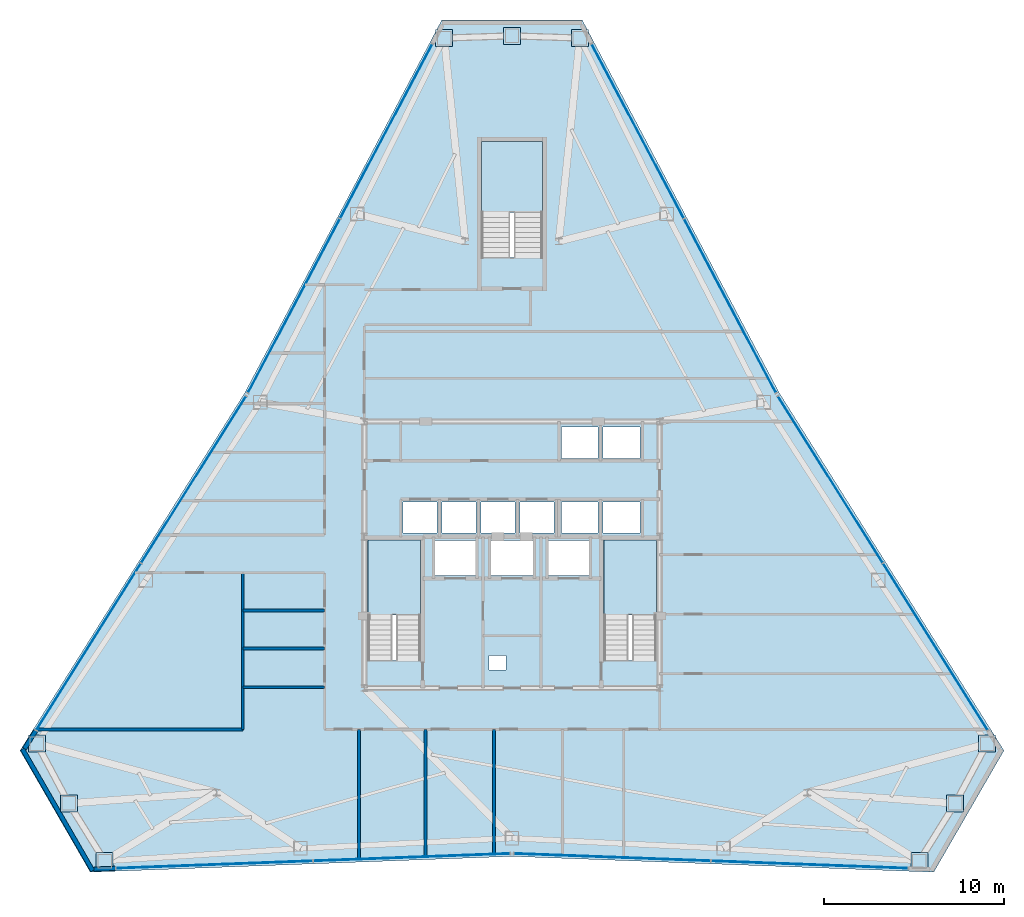
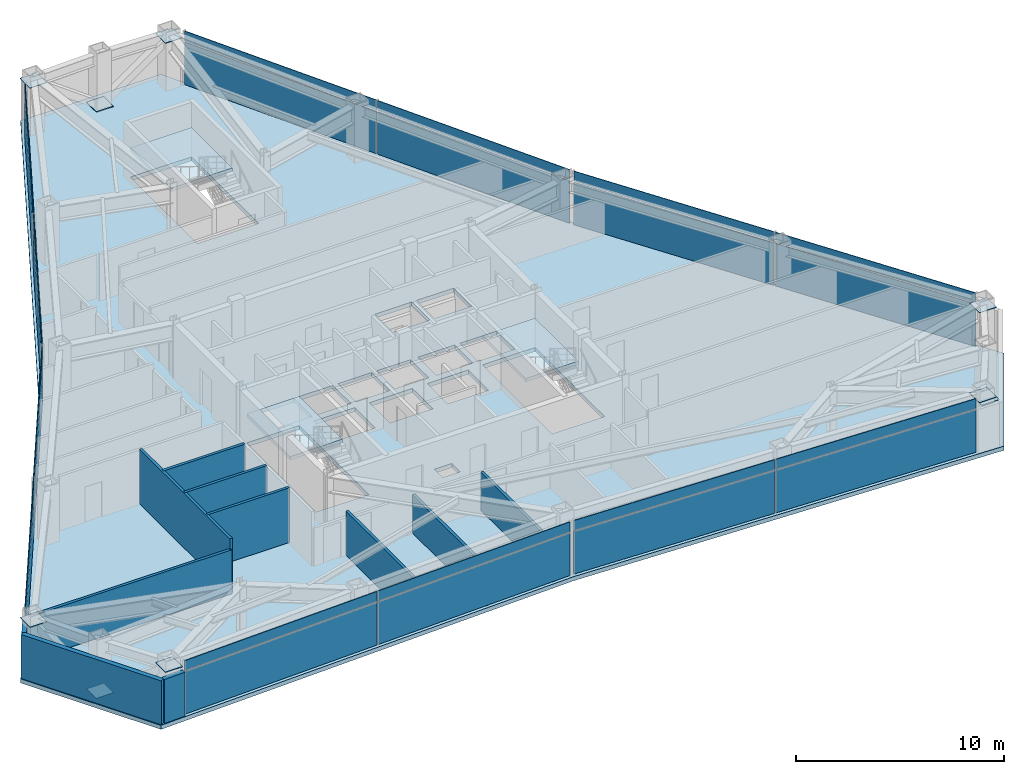
# One storey, part 9 of 13: 33 plates, 11 walls, 4 slabs, 9 elements without a shape of their own.
"""IFC4 building model written with IfcOpenShell, lengths in metres."""

from ifc_helpers import new_model, si_unit, direction, frame, frame_2d, origin, origin_2d, place, context, subcontext, project, spatial, polyline, rectangle, outline, extrude, source, transform, mapped, material, layer, layer_set, type_object, type_shapes, element, aggregate, save


model = new_model("IFC4")

# Units and contexts
model_context = context("Model", 3, precision=1e-05, world=origin(), true_north=direction((0.0, 1.0)))
body_context = subcontext(model_context, "Body", "Model", "MODEL_VIEW")
ifc_project = project(units=[si_unit("LENGTHUNIT", "METRE"), si_unit("AREAUNIT", "SQUARE_METRE"), si_unit("VOLUMEUNIT", "CUBIC_METRE"), si_unit("PLANEANGLEUNIT", "RADIAN"), si_unit("MASSUNIT", "GRAM", prefix="KILO")], contexts=[model_context])

# Site, building, storey
site_placement = place(None, origin())
site = spatial("IfcSite", under=ifc_project, at=site_placement, CompositionType="ELEMENT")
building_placement = place(site_placement, origin())
building = spatial("IfcBuilding", under=site, at=building_placement, Name="Varakhsha Concourse Tower", CompositionType="ELEMENT")
storey_placement = place(building_placement, frame((0.0, 0.0, 172.35009765625)))
storey = spatial("IfcBuildingStorey", under=building, at=storey_placement, Name="L49", CompositionType="ELEMENT", Elevation=172.35009765625)

# Slab
ifc_material_1 = material(Name="Concrete fc 45 MPa", Category="concrete")
ifc_layer_1 = layer(ifc_material_1, 0.239990234375, Name="SL-FLR-240")
ifc_layer_set_1 = layer_set([ifc_layer_1], Name="Concrete fc 45 MPa")
slab_type_1 = type_object("IfcSlabType", Name="SL-FLR-240", PredefinedType="FLOOR", material=ifc_layer_set_1)
slab_1_placement = place(storey_placement, frame((0.0, 0.0, -0.239990234375)))
element("IfcSlab", 1, at=slab_1_placement, inside=storey, type_object=slab_type_1, Name="L49 Composite Structural Slab", PredefinedType="FLOOR", context=body_context, shape_type="SweptSolid", body=[
    extrude(outline(polyline([(43.89990234375, 53.498291015625), (36.10009765625, 53.498291015625), (25.147216796875, 32.775390625), (12.677001953125, 12.92822265625), (16.576904296875, 6.17333984375), (40.0, 7.04931640625), (63.423095703125, 6.17333984375), (67.322998046875, 12.92822265625), (54.852783203125, 32.775390625), (43.89990234375, 53.498291015625)]), holes=[polyline([(34.919921875, 17.93994140625), (34.919921875, 24.6298828125), (32.0, 24.6298828125), (32.0, 17.93994140625), (34.919921875, 17.93994140625)]), polyline([(48.02001953125, 17.93994140625), (48.02001953125, 24.6298828125), (45.10009765625, 24.6298828125), (45.10009765625, 17.93994140625), (48.02001953125, 17.93994140625)]), polyline([(41.699951171875, 40.300048828125), (41.699951171875, 46.75), (38.300048828125, 46.75), (38.300048828125, 40.300048828125), (41.699951171875, 40.300048828125)]), polyline([(33.9599609375, 25.0), (35.840087890625, 25.0), (35.840087890625, 26.739990234375), (33.9599609375, 26.739990234375), (33.9599609375, 25.0)]), polyline([(36.1201171875, 25.0), (38.0, 25.0), (38.0, 26.739990234375), (36.1201171875, 26.739990234375), (36.1201171875, 25.0)]), polyline([(38.280029296875, 25.0), (40.159912109375, 25.0), (40.159912109375, 26.739990234375), (38.280029296875, 26.739990234375), (38.280029296875, 25.0)]), polyline([(40.43994140625, 25.0), (42.320068359375, 25.0), (42.320068359375, 26.739990234375), (40.43994140625, 26.739990234375), (40.43994140625, 25.0)]), polyline([(42.739990234375, 29.159912109375), (44.780029296875, 29.159912109375), (44.780029296875, 30.89990234375), (42.739990234375, 30.89990234375), (42.739990234375, 29.159912109375)]), polyline([(45.06005859375, 29.159912109375), (47.10009765625, 29.159912109375), (47.10009765625, 30.89990234375), (45.06005859375, 30.89990234375), (45.06005859375, 29.159912109375)]), polyline([(42.739990234375, 25.0), (44.780029296875, 25.0), (44.780029296875, 26.739990234375), (42.739990234375, 26.739990234375), (42.739990234375, 25.0)]), polyline([(45.06005859375, 25.0), (47.10009765625, 25.0), (47.10009765625, 26.739990234375), (45.06005859375, 26.739990234375), (45.06005859375, 25.0)]), polyline([(35.7099609375, 22.639892578125), (37.989990234375, 22.639892578125), (37.989990234375, 24.60009765625), (35.7099609375, 24.60009765625), (35.7099609375, 22.639892578125)]), polyline([(42.010009765625, 22.639892578125), (44.2900390625, 22.639892578125), (44.2900390625, 24.60009765625), (42.010009765625, 24.60009765625), (42.010009765625, 22.639892578125)]), polyline([(38.81005859375, 22.639892578125), (41.18994140625, 22.639892578125), (41.18994140625, 24.60009765625), (38.81005859375, 24.60009765625), (38.81005859375, 22.639892578125)]), polyline([(38.719970703125, 17.39990234375), (39.679931640625, 17.39990234375), (39.679931640625, 18.199951171875), (38.719970703125, 18.199951171875), (38.719970703125, 17.39990234375)])]), origin(), (0.0, 0.0, 1.0), 0.239990234375),
])

# Stair, slab
stair_type_1 = type_object("IfcStairType", Name="ST-DOGLEG-1360", PredefinedType="HALF_TURN_STAIR", material=ifc_material_1)
stair_1_placement = place(storey_placement, origin())
stair_1 = element("IfcStair", 2, at=stair_1_placement, inside=storey, type_object=stair_type_1, Name="L49 Protected Exit Stair ST1", PredefinedType="HALF_TURN_STAIR")
ifc_layer_2 = layer(ifc_material_1, 0.199951171875, Name="SL-LAND-200")
ifc_layer_set_2 = layer_set([ifc_layer_2], Name="Concrete fc 45 MPa")
slab_type_2 = type_object("IfcSlabType", Name="SL-LAND-200", PredefinedType="LANDING", material=ifc_layer_set_2)
slab_2_placement = place(storey_placement, frame((0.0, 0.0, 1.52490234375)))
slab_2 = element("IfcSlab", 3, at=slab_2_placement, type_object=slab_type_2, Name="ST1 landing 1", PredefinedType="LANDING", context=body_context, shape_type="SweptSolid", body=[
    extrude(outline(polyline([(34.919921875, 20.4599609375), (34.919921875, 24.6298828125), (32.0, 24.6298828125), (32.0, 20.4599609375), (34.919921875, 20.4599609375)])), origin(), (0.0, 0.0, 1.0), 0.199951171875),
])
aggregate(stair_1, [slab_2])

stair_2_placement = place(storey_placement, origin())
stair_2 = element("IfcStair", 4, at=stair_2_placement, inside=storey, type_object=stair_type_1, Name="L49 Protected Exit Stair ST2", PredefinedType="HALF_TURN_STAIR")
slab_3_placement = place(storey_placement, frame((0.0, 0.0, 1.52490234375)))
slab_3 = element("IfcSlab", 5, at=slab_3_placement, type_object=slab_type_2, Name="ST2 landing 1", PredefinedType="LANDING", context=body_context, shape_type="SweptSolid", body=[
    extrude(outline(polyline([(48.02001953125, 20.4599609375), (48.02001953125, 24.6298828125), (45.10009765625, 24.6298828125), (45.10009765625, 20.4599609375), (48.02001953125, 20.4599609375)])), origin(), (0.0, 0.0, 1.0), 0.199951171875),
])
aggregate(stair_2, [slab_3])

stair_type_2 = type_object("IfcStairType", Name="ST-DOGLEG-1600", PredefinedType="HALF_TURN_STAIR", material=ifc_material_1)
stair_3_placement = place(storey_placement, origin())
stair_3 = element("IfcStair", 6, at=stair_3_placement, inside=storey, type_object=stair_type_2, Name="L49 Protected Exit Stair ST5", PredefinedType="HALF_TURN_STAIR")
slab_4_placement = place(storey_placement, frame((0.0, 0.0, 1.52490234375)))
slab_4 = element("IfcSlab", 7, at=slab_4_placement, type_object=slab_type_2, Name="ST5 landing 1", PredefinedType="LANDING", context=body_context, shape_type="SweptSolid", body=[
    extrude(outline(polyline([(41.699951171875, 42.820068359375), (41.699951171875, 46.75), (38.300048828125, 46.75), (38.300048828125, 42.820068359375), (41.699951171875, 42.820068359375)])), origin(), (0.0, 0.0, 1.0), 0.199951171875),
])
aggregate(stair_3, [slab_4])

# Plates
ifc_material_2 = material(Name="Structural Steel ASTM A572 Grade 50", Category="steel")
ifc_layer_3 = layer(ifc_material_2, 0.030029296875, Name="PL-ENDCAP-950")
ifc_layer_set_3 = layer_set([ifc_layer_3], Name="Structural Steel ASTM A572 Grade 50")
plate_type_1 = type_object("IfcPlateType", Name="PL-ENDCAP-950", PredefinedType="USERDEFINED", material=ifc_layer_set_3)
shared_shape_1 = source(origin(), body_context, "Body", "SweptSolid", [
    extrude(rectangle(XDim=0.949951171875, YDim=0.949951171875, at=origin_2d()), origin(), (0.0, 0.0, 1.0), 0.030029296875),
])
type_shapes(plate_type_1, [shared_shape_1])
for number, where, z_axis, x_axis, name in (
    (8, (40.0, 52.618408203125, 0.10498046875), (0.0, 0.0, 1.0), (1.0, 0.0, 0.0), "Hollow Section End Cap GP-NODE-L49-0505"),
    (9, (43.7666015625, 52.4951171875, 2.89501953125), (0.0, 0.0, 1.0), (1.0, 0.0, 0.0), "Hollow Section End Cap GP-NODE-L49-0506"),
    (10, (36.2333984375, 52.4951171875, 2.89501953125), (0.0, 0.0, 1.0), (1.0, 0.0, 0.0), "Hollow Section End Cap GP-NODE-L49-0507"),
    (11, (15.388916015625, 9.99072265625, 0.10498046875), (0.0, 0.0, 1.0), (1.0, 0.0, 0.0), "Hollow Section End Cap GP-NODE-L49-0508"),
    (12, (13.6123046875, 13.314208984375, 2.89501953125), (0.0, 0.0, 1.0), (1.0, 0.0, 0.0), "Hollow Section End Cap GP-NODE-L49-0509"),
    (13, (17.37890625, 6.79052734375, 2.89501953125), (0.0, 0.0, 1.0), (1.0, 0.0, 0.0), "Hollow Section End Cap GP-NODE-L49-0510"),
    (14, (64.611083984375, 9.99072265625, 0.10498046875), (0.0, 0.0, 1.0), (1.0, 0.0, 0.0), "Hollow Section End Cap GP-NODE-L49-0511"),
    (15, (62.62109375, 6.79052734375, 2.89501953125), (0.0, 0.0, 1.0), (1.0, 0.0, 0.0), "Hollow Section End Cap GP-NODE-L49-0512"),
    (16, (66.3876953125, 13.314208984375, 2.89501953125), (0.0, 0.0, 1.0), (1.0, 0.0, 0.0), "Hollow Section End Cap GP-NODE-L49-0513"),
):
    element("IfcPlate", number, at=place(storey_placement, frame(where, z_axis=z_axis, x_axis=x_axis)), inside=storey, type_object=plate_type_1, Name=name, ObjectType="END PLATE", PredefinedType="USERDEFINED", context=body_context, shape_type="MappedRepresentation", body=[
        mapped(shared_shape_1, transform((0.0, 0.0, 0.0), scale=1.0)),
    ])

# Curtain wall, plates
ifc_material_3 = material(Name="Anodised Bronze Architectural Aluminium AA 6063-T6", Category="aluminium")
ifc_layer_4 = layer(ifc_material_3, 0.2099609375, Name="CW-SYS-04")
ifc_layer_set_4 = layer_set([ifc_layer_4], Name="Anodised Bronze Architectural Aluminium AA 6063-T6")
curtain_wall_type = type_object("IfcCurtainWallType", Name="CW-SYS-04", PredefinedType="NOTDEFINED", material=ifc_layer_set_4)
curtain_wall_1_placement = place(storey_placement, origin())
curtain_wall_1 = element("IfcCurtainWall", 17, at=curtain_wall_1_placement, inside=storey, type_object=curtain_wall_type, Name="L49 Crystal Curtain Wall F2", PredefinedType="NOTDEFINED")
ifc_material_4 = material(Name="Low-E Triple Insulating Glass IGU 44 mm", Category="glass")
ifc_layer_5 = layer(ifc_material_4, 0.0439453125, Name="CWP-IGU-44")
ifc_layer_set_5 = layer_set([ifc_layer_5], Name="Low-E Triple Insulating Glass IGU 44 mm")
plate_type_2 = type_object("IfcPlateType", Name="CWP-IGU-44", PredefinedType="CURTAIN_PANEL", material=ifc_layer_set_5)
shared_shape_2 = source(origin(), body_context, "Body", "SweptSolid", [
    extrude(rectangle(XDim=10.900634765625, YDim=0.0439453125, at=origin_2d()), origin(), (0.0, 0.0, 1.0), 2.49609375),
])
plate_1_placement = place(storey_placement, frame((27.888916015625, 37.62060546875, 0.03173828125), z_axis=(0.0, 0.0, 1.0), x_axis=(0.46728648373, 0.884105956389, 0.0)))
plate_1 = element("IfcPlate", 18, at=plate_1_placement, type_object=plate_type_2, Name="CW-L49-F2 Panel 00-00", PredefinedType="CURTAIN_PANEL", context=body_context, shape_type="MappedRepresentation", body=[
    mapped(shared_shape_2, transform((0.0, 0.0, 0.0), scale=1.0)),
])
plate_2_placement = place(storey_placement, frame((33.014892578125, 47.31884765625, 0.03173828125), z_axis=(0.0, 0.0, 1.0), x_axis=(0.46728648373, 0.884105956389, 0.0)))
plate_2 = element("IfcPlate", 19, at=plate_2_placement, type_object=plate_type_2, Name="CW-L49-F2 Panel 01-00", PredefinedType="CURTAIN_PANEL", context=body_context, shape_type="MappedRepresentation", body=[
    mapped(shared_shape_2, transform((0.0, 0.0, 0.0), scale=1.0)),
])

# Curtain wall, plate
curtain_wall_2_placement = place(storey_placement, origin())
curtain_wall_2 = element("IfcCurtainWall", 20, at=curtain_wall_2_placement, inside=storey, type_object=curtain_wall_type, Name="L49 Crystal Curtain Wall F3", PredefinedType="NOTDEFINED")
plate_3_placement = place(storey_placement, frame((16.48583984375, 18.689697265625, 0.03173828125), z_axis=(0.0, 0.0, 1.0), x_axis=(0.532022365141, 0.846730301212, 0.0)))
plate_3 = element("IfcPlate", 21, at=plate_3_placement, type_object=plate_type_2, Name="CW-L49-F3 Panel 00-00", PredefinedType="CURTAIN_PANEL", context=body_context, shape_type="MappedRepresentation", body=[
    mapped(shared_shape_2, transform((0.0, 0.0, 0.0), scale=1.0)),
])

# Curtain wall, plates
curtain_wall_3_placement = place(storey_placement, origin())
curtain_wall_3 = element("IfcCurtainWall", 22, at=curtain_wall_3_placement, inside=storey, type_object=curtain_wall_type, Name="L49 Crystal Curtain Wall F5", PredefinedType="NOTDEFINED")
plate_4_placement = place(storey_placement, frame((34.43310546875, 7.001220703125, 0.03173828125), z_axis=(0.0, 0.0, 1.0), x_axis=(-0.999301264048, -0.037376244769, 0.0)))
plate_4 = element("IfcPlate", 23, at=plate_4_placement, type_object=plate_type_2, Name="CW-L49-F5 Panel 00-00", PredefinedType="CURTAIN_PANEL", context=body_context, shape_type="MappedRepresentation", body=[
    mapped(shared_shape_2, transform((0.0, 0.0, 0.0), scale=1.0)),
])
plate_5_placement = place(storey_placement, frame((23.470947265625, 6.59130859375, 0.03173828125), z_axis=(0.0, 0.0, 1.0), x_axis=(-0.999301264048, -0.037376244769, 0.0)))
plate_5 = element("IfcPlate", 24, at=plate_5_placement, type_object=plate_type_2, Name="CW-L49-F5 Panel 01-00", PredefinedType="CURTAIN_PANEL", context=body_context, shape_type="MappedRepresentation", body=[
    mapped(shared_shape_2, transform((0.0, 0.0, 0.0), scale=1.0)),
])

curtain_wall_4_placement = place(storey_placement, origin())
curtain_wall_4 = element("IfcCurtainWall", 25, at=curtain_wall_4_placement, inside=storey, type_object=curtain_wall_type, Name="L49 Crystal Curtain Wall F6", PredefinedType="NOTDEFINED")
plate_6_placement = place(storey_placement, frame((56.529052734375, 6.59130859375, 0.03173828125), z_axis=(0.0, 0.0, 1.0), x_axis=(-0.999301264048, 0.037376244769, 0.0)))
plate_6 = element("IfcPlate", 26, at=plate_6_placement, type_object=plate_type_2, Name="CW-L49-F6 Panel 00-00", PredefinedType="CURTAIN_PANEL", context=body_context, shape_type="MappedRepresentation", body=[
    mapped(shared_shape_2, transform((0.0, 0.0, 0.0), scale=1.0)),
])
plate_7_placement = place(storey_placement, frame((45.56689453125, 7.001220703125, 0.03173828125), z_axis=(0.0, 0.0, 1.0), x_axis=(-0.999301264048, 0.037376244769, 0.0)))
plate_7 = element("IfcPlate", 27, at=plate_7_placement, type_object=plate_type_2, Name="CW-L49-F6 Panel 01-00", PredefinedType="CURTAIN_PANEL", context=body_context, shape_type="MappedRepresentation", body=[
    mapped(shared_shape_2, transform((0.0, 0.0, 0.0), scale=1.0)),
])

# Curtain wall, plate
curtain_wall_5_placement = place(storey_placement, origin())
curtain_wall_5 = element("IfcCurtainWall", 28, at=curtain_wall_5_placement, inside=storey, type_object=curtain_wall_type, Name="L49 Crystal Curtain Wall F8", PredefinedType="NOTDEFINED")
plate_8_placement = place(storey_placement, frame((57.677978515625, 27.978271484375, 0.03173828125), z_axis=(0.0, 0.0, 1.0), x_axis=(0.532022365141, -0.846730301212, 0.0)))
plate_8 = element("IfcPlate", 29, at=plate_8_placement, type_object=plate_type_2, Name="CW-L49-F8 Panel 00-00", PredefinedType="CURTAIN_PANEL", context=body_context, shape_type="MappedRepresentation", body=[
    mapped(shared_shape_2, transform((0.0, 0.0, 0.0), scale=1.0)),
])

# Curtain wall, plates
curtain_wall_6_placement = place(storey_placement, origin())
curtain_wall_6 = element("IfcCurtainWall", 30, at=curtain_wall_6_placement, inside=storey, type_object=curtain_wall_type, Name="L49 Crystal Curtain Wall F9", PredefinedType="NOTDEFINED")
plate_9_placement = place(storey_placement, frame((46.985107421875, 47.31884765625, 0.03173828125), z_axis=(0.0, 0.0, 1.0), x_axis=(0.46728648373, -0.884105956389, 0.0)))
plate_9 = element("IfcPlate", 31, at=plate_9_placement, type_object=plate_type_2, Name="CW-L49-F9 Panel 00-00", PredefinedType="CURTAIN_PANEL", context=body_context, shape_type="MappedRepresentation", body=[
    mapped(shared_shape_2, transform((0.0, 0.0, 0.0), scale=1.0)),
])
plate_10_placement = place(storey_placement, frame((52.111083984375, 37.62060546875, 0.03173828125), z_axis=(0.0, 0.0, 1.0), x_axis=(0.46728648373, -0.884105956389, 0.0)))
plate_10 = element("IfcPlate", 32, at=plate_10_placement, type_object=plate_type_2, Name="CW-L49-F9 Panel 01-00", PredefinedType="CURTAIN_PANEL", context=body_context, shape_type="MappedRepresentation", body=[
    mapped(shared_shape_2, transform((0.0, 0.0, 0.0), scale=1.0)),
])

# Plate
ifc_material_5 = material(Name="Insulated Anodised Bronze Aluminium Spandrel 36 mm", Category="aluminium")
ifc_layer_6 = layer(ifc_material_5, 0.035888671875, Name="CWP-SPN-36")
ifc_layer_set_6 = layer_set([ifc_layer_6], Name="Insulated Anodised Bronze Aluminium Spandrel 36 mm")
plate_type_3 = type_object("IfcPlateType", Name="CWP-SPN-36", PredefinedType="USERDEFINED", material=ifc_layer_set_6)
shared_shape_3 = source(origin(), body_context, "Body", "SweptSolid", [
    extrude(rectangle(XDim=10.900634765625, YDim=0.035888671875, at=origin_2d()), origin(), (0.0, 0.0, 1.0), 0.5859375),
])
plate_11_placement = place(storey_placement, frame((27.888916015625, 37.62060546875, 2.592041015625), z_axis=(0.0, 0.0, 1.0), x_axis=(0.46728648373, 0.884105956389, 0.0)))
plate_11 = element("IfcPlate", 33, at=plate_11_placement, type_object=plate_type_3, Name="CW-L49-F2 Panel 00-01", ObjectType="SPANDREL", PredefinedType="USERDEFINED", context=body_context, shape_type="MappedRepresentation", body=[
    mapped(shared_shape_3, transform((0.0, 0.0, 0.0), scale=1.0)),
])

plate_12_placement = place(storey_placement, frame((33.014892578125, 47.31884765625, 2.592041015625), z_axis=(0.0, 0.0, 1.0), x_axis=(0.46728648373, 0.884105956389, 0.0)))
plate_12 = element("IfcPlate", 34, at=plate_12_placement, type_object=plate_type_3, Name="CW-L49-F2 Panel 01-01", ObjectType="SPANDREL", PredefinedType="USERDEFINED", context=body_context, shape_type="MappedRepresentation", body=[
    mapped(shared_shape_3, transform((0.0, 0.0, 0.0), scale=1.0)),
])

aggregate(curtain_wall_1, [plate_1, plate_11, plate_2, plate_12])

plate_13_placement = place(storey_placement, frame((16.48583984375, 18.689697265625, 2.592041015625), z_axis=(0.0, 0.0, 1.0), x_axis=(0.532022365141, 0.846730301212, 0.0)))
plate_13 = element("IfcPlate", 35, at=plate_13_placement, type_object=plate_type_3, Name="CW-L49-F3 Panel 00-01", ObjectType="SPANDREL", PredefinedType="USERDEFINED", context=body_context, shape_type="MappedRepresentation", body=[
    mapped(shared_shape_3, transform((0.0, 0.0, 0.0), scale=1.0)),
])

plate_14_placement = place(storey_placement, frame((34.43310546875, 7.001220703125, 2.592041015625), z_axis=(0.0, 0.0, 1.0), x_axis=(-0.999301264048, -0.037376244769, 0.0)))
plate_14 = element("IfcPlate", 36, at=plate_14_placement, type_object=plate_type_3, Name="CW-L49-F5 Panel 00-01", ObjectType="SPANDREL", PredefinedType="USERDEFINED", context=body_context, shape_type="MappedRepresentation", body=[
    mapped(shared_shape_3, transform((0.0, 0.0, 0.0), scale=1.0)),
])

plate_15_placement = place(storey_placement, frame((23.470947265625, 6.59130859375, 2.592041015625), z_axis=(0.0, 0.0, 1.0), x_axis=(-0.999301264048, -0.037376244769, 0.0)))
plate_15 = element("IfcPlate", 37, at=plate_15_placement, type_object=plate_type_3, Name="CW-L49-F5 Panel 01-01", ObjectType="SPANDREL", PredefinedType="USERDEFINED", context=body_context, shape_type="MappedRepresentation", body=[
    mapped(shared_shape_3, transform((0.0, 0.0, 0.0), scale=1.0)),
])

aggregate(curtain_wall_3, [plate_4, plate_14, plate_5, plate_15])

plate_16_placement = place(storey_placement, frame((56.529052734375, 6.59130859375, 2.592041015625), z_axis=(0.0, 0.0, 1.0), x_axis=(-0.999301264048, 0.037376244769, 0.0)))
plate_16 = element("IfcPlate", 38, at=plate_16_placement, type_object=plate_type_3, Name="CW-L49-F6 Panel 00-01", ObjectType="SPANDREL", PredefinedType="USERDEFINED", context=body_context, shape_type="MappedRepresentation", body=[
    mapped(shared_shape_3, transform((0.0, 0.0, 0.0), scale=1.0)),
])

plate_17_placement = place(storey_placement, frame((45.56689453125, 7.001220703125, 2.592041015625), z_axis=(0.0, 0.0, 1.0), x_axis=(-0.999301264048, 0.037376244769, 0.0)))
plate_17 = element("IfcPlate", 39, at=plate_17_placement, type_object=plate_type_3, Name="CW-L49-F6 Panel 01-01", ObjectType="SPANDREL", PredefinedType="USERDEFINED", context=body_context, shape_type="MappedRepresentation", body=[
    mapped(shared_shape_3, transform((0.0, 0.0, 0.0), scale=1.0)),
])

aggregate(curtain_wall_4, [plate_6, plate_16, plate_7, plate_17])

plate_18_placement = place(storey_placement, frame((57.677978515625, 27.978271484375, 2.592041015625), z_axis=(0.0, 0.0, 1.0), x_axis=(0.532022365141, -0.846730301212, 0.0)))
plate_18 = element("IfcPlate", 40, at=plate_18_placement, type_object=plate_type_3, Name="CW-L49-F8 Panel 00-01", ObjectType="SPANDREL", PredefinedType="USERDEFINED", context=body_context, shape_type="MappedRepresentation", body=[
    mapped(shared_shape_3, transform((0.0, 0.0, 0.0), scale=1.0)),
])

plate_19_placement = place(storey_placement, frame((46.985107421875, 47.31884765625, 2.592041015625), z_axis=(0.0, 0.0, 1.0), x_axis=(0.46728648373, -0.884105956389, 0.0)))
plate_19 = element("IfcPlate", 41, at=plate_19_placement, type_object=plate_type_3, Name="CW-L49-F9 Panel 00-01", ObjectType="SPANDREL", PredefinedType="USERDEFINED", context=body_context, shape_type="MappedRepresentation", body=[
    mapped(shared_shape_3, transform((0.0, 0.0, 0.0), scale=1.0)),
])

plate_20_placement = place(storey_placement, frame((52.111083984375, 37.62060546875, 2.592041015625), z_axis=(0.0, 0.0, 1.0), x_axis=(0.46728648373, -0.884105956389, 0.0)))
plate_20 = element("IfcPlate", 42, at=plate_20_placement, type_object=plate_type_3, Name="CW-L49-F9 Panel 01-01", ObjectType="SPANDREL", PredefinedType="USERDEFINED", context=body_context, shape_type="MappedRepresentation", body=[
    mapped(shared_shape_3, transform((0.0, 0.0, 0.0), scale=1.0)),
])

aggregate(curtain_wall_6, [plate_9, plate_19, plate_10, plate_20])

shared_shape_4 = source(origin(), body_context, "Body", "SweptSolid", [
    extrude(rectangle(XDim=10.90087890625, YDim=0.0439453125, at=origin_2d()), origin(), (0.0, 0.0, 1.0), 2.49609375),
])
type_shapes(plate_type_2, [shared_shape_2, shared_shape_4])
plate_21_placement = place(storey_placement, frame((22.322021484375, 27.978271484375, 0.03173828125), z_axis=(0.0, 0.0, 1.0), x_axis=(0.532022365141, 0.846730301212, 0.0)))
plate_21 = element("IfcPlate", 43, at=plate_21_placement, type_object=plate_type_2, Name="CW-L49-F3 Panel 01-00", PredefinedType="CURTAIN_PANEL", context=body_context, shape_type="MappedRepresentation", body=[
    mapped(shared_shape_4, transform((0.0, 0.0, 0.0), scale=1.0)),
])

plate_22_placement = place(storey_placement, frame((63.51416015625, 18.689697265625, 0.03173828125), z_axis=(0.0, 0.0, 1.0), x_axis=(0.532022365141, -0.846730301212, 0.0)))
plate_22 = element("IfcPlate", 44, at=plate_22_placement, type_object=plate_type_2, Name="CW-L49-F8 Panel 01-00", PredefinedType="CURTAIN_PANEL", context=body_context, shape_type="MappedRepresentation", body=[
    mapped(shared_shape_4, transform((0.0, 0.0, 0.0), scale=1.0)),
])

shared_shape_5 = source(origin(), body_context, "Body", "SweptSolid", [
    extrude(rectangle(XDim=10.90087890625, YDim=0.035888671875, at=origin_2d()), origin(), (0.0, 0.0, 1.0), 0.5859375),
])
type_shapes(plate_type_3, [shared_shape_3, shared_shape_5])
plate_23_placement = place(storey_placement, frame((22.322021484375, 27.978271484375, 2.592041015625), z_axis=(0.0, 0.0, 1.0), x_axis=(0.532022365141, 0.846730301212, 0.0)))
plate_23 = element("IfcPlate", 45, at=plate_23_placement, type_object=plate_type_3, Name="CW-L49-F3 Panel 01-01", ObjectType="SPANDREL", PredefinedType="USERDEFINED", context=body_context, shape_type="MappedRepresentation", body=[
    mapped(shared_shape_5, transform((0.0, 0.0, 0.0), scale=1.0)),
])

aggregate(curtain_wall_2, [plate_3, plate_13, plate_21, plate_23])

plate_24_placement = place(storey_placement, frame((63.51416015625, 18.689697265625, 2.592041015625), z_axis=(0.0, 0.0, 1.0), x_axis=(0.532022365141, -0.846730301212, 0.0)))
plate_24 = element("IfcPlate", 46, at=plate_24_placement, type_object=plate_type_3, Name="CW-L49-F8 Panel 01-01", ObjectType="SPANDREL", PredefinedType="USERDEFINED", context=body_context, shape_type="MappedRepresentation", body=[
    mapped(shared_shape_5, transform((0.0, 0.0, 0.0), scale=1.0)),
])

aggregate(curtain_wall_5, [plate_8, plate_18, plate_22, plate_24])

# Walls
ifc_layer_7 = layer(ifc_material_1, 0.239990234375, Name="WL-EXT-CRN-240")
ifc_layer_set_7 = layer_set([ifc_layer_7], Name="Concrete fc 45 MPa")
wall_type_1 = type_object("IfcWallType", Name="WL-EXT-CRN-240", PredefinedType="SHEAR", material=ifc_layer_set_7)
wall_1_placement = place(storey_placement, frame((13.550537109375, 14.01806640625, 0.0), z_axis=(0.0, 0.0, 1.0), x_axis=(-0.532008789028, -0.84673883128, 0.0)))
element("IfcWall", 47, at=wall_1_placement, inside=storey, type_object=wall_type_1, Name="L49 Wind-Corner Shoulder Wall F3", PredefinedType="SHEAR", context=body_context, shape_type="SweptSolid", body=[
    extrude(rectangle(XDim=1.16748046875, YDim=0.239990234375, at=frame_2d((0.583740234375, 0.0))), origin(), (0.0, 0.0, 1.0), 2.5830078125),
])
wall_2_placement = place(storey_placement, frame((16.715576171875, 6.25341796875, 0.0), z_axis=(0.0, 0.0, 1.0), x_axis=(-0.500020487837, 0.866013574803, 0.0)))
element("IfcWall", 48, at=wall_2_placement, inside=storey, type_object=wall_type_1, Name="L49 Chamfer Wind-Corner Insulated Wall F4", PredefinedType="SHEAR", context=body_context, shape_type="SweptSolid", body=[
    extrude(rectangle(XDim=7.800048828125, YDim=0.239990234375, at=frame_2d((3.89990234375, 0.0))), origin(), (0.0, 0.0, 1.0), 2.5830078125),
])
wall_3_placement = place(storey_placement, frame((16.790771484375, 6.34130859375, 0.0), z_axis=(0.0, 0.0, 1.0), x_axis=(0.999299278667, 0.037429288739, 0.0)))
element("IfcWall", 49, at=wall_3_placement, inside=storey, type_object=wall_type_1, Name="L49 Wind-Corner Shoulder Wall F5", PredefinedType="SHEAR", context=body_context, shape_type="SweptSolid", body=[
    extrude(rectangle(XDim=1.16748046875, YDim=0.239990234375, at=frame_2d((0.583740234375, 0.0))), origin(), (0.0, 0.0, 1.0), 2.5830078125),
])
ifc_material_6 = material(Name="Fire-Rated Type X Gypsum Partition Assembly", Category="gypsum")
ifc_layer_8 = layer(ifc_material_6, 0.14990234375, Name="WL-PART-150")
ifc_layer_set_8 = layer_set([ifc_layer_8], Name="Fire-Rated Type X Gypsum Partition Assembly")
wall_type_2 = type_object("IfcWallType", Name="WL-PART-150", PredefinedType="PARTITIONING", material=ifc_layer_set_8)
wall_4_placement = place(storey_placement, frame((25.050048828125, 14.10009765625, 0.0), z_axis=(0.0, 0.0, 1.0), x_axis=(0.0, 1.0, 0.0)))
element("IfcWall", 50, at=wall_4_placement, inside=storey, type_object=wall_type_2, Name="L49 Wall C2WC-W-L49", PredefinedType="PARTITIONING", context=body_context, shape_type="SweptSolid", body=[
    extrude(rectangle(XDim=8.699951171875, YDim=0.14990234375, at=frame_2d((4.35009765625, 0.0))), origin(), (0.0, 0.0, 1.0), 3.2099609375),
])
for number, where, z_axis, x_axis, name in (
    (51, (25.050048828125, 16.449951171875, 0.0), (0.0, 0.0, 1.0), (1.0, 0.0, 0.0), "L49 Wall C2WC-S-L49"),
    (52, (25.050048828125, 18.60009765625, 0.0), (0.0, 0.0, 1.0), (1.0, 0.0, 0.0), "L49 Wall C2WC-D1-L49"),
    (53, (25.050048828125, 20.699951171875, 0.0), (0.0, 0.0, 1.0), (1.0, 0.0, 0.0), "L49 Wall C2WC-D2-L49"),
):
    element("IfcWall", number, at=place(storey_placement, frame(where, z_axis=z_axis, x_axis=x_axis)), inside=storey, type_object=wall_type_2, Name=name, PredefinedType="PARTITIONING", context=body_context, shape_type="SweptSolid", body=[
        extrude(rectangle(XDim=4.550048828125, YDim=0.14990234375, at=frame_2d((2.27490234375, 0.0))), origin(), (0.0, 0.0, 1.0), 3.2099609375),
    ])
wall_5_placement = place(storey_placement, frame((31.5, 6.896484375, 0.0), z_axis=(0.0, 0.0, 1.0), x_axis=(0.0, 1.0, 0.0)))
element("IfcWall", 54, at=wall_5_placement, inside=storey, type_object=wall_type_2, Name="L49 Wall ODIV-S1-L49", PredefinedType="PARTITIONING", context=body_context, shape_type="SweptSolid", body=[
    extrude(rectangle(XDim=7.20361328125, YDim=0.14990234375, at=frame_2d((3.601806640625, 0.0))), origin(), (0.0, 0.0, 1.0), 2.5888671875),
])
wall_6_placement = place(storey_placement, frame((35.199951171875, 7.034912109375, 0.0), z_axis=(0.0, 0.0, 1.0), x_axis=(0.0, 1.0, 0.0)))
element("IfcWall", 55, at=wall_6_placement, inside=storey, type_object=wall_type_2, Name="L49 Wall ODIV-S2-L49", PredefinedType="PARTITIONING", context=body_context, shape_type="SweptSolid", body=[
    extrude(rectangle(XDim=7.065185546875, YDim=0.14990234375, at=frame_2d((3.53271484375, 0.0))), origin(), (0.0, 0.0, 1.0), 2.251953125),
])
wall_7_placement = place(storey_placement, frame((39.0, 7.177001953125, 0.0), z_axis=(0.0, 0.0, 1.0), x_axis=(0.0, 1.0, 0.0)))
element("IfcWall", 56, at=wall_7_placement, inside=storey, type_object=wall_type_2, Name="L49 Wall ODIV-S3-L49", PredefinedType="PARTITIONING", context=body_context, shape_type="SweptSolid", body=[
    extrude(rectangle(XDim=6.923095703125, YDim=0.14990234375, at=frame_2d((3.46142578125, 0.0))), origin(), (0.0, 0.0, 1.0), 2.251953125),
])
wall_8_placement = place(storey_placement, frame((13.60791015625, 14.10009765625, 0.0), z_axis=(0.0, 0.0, 1.0), x_axis=(1.0, 0.0, 0.0)))
element("IfcWall", 57, at=wall_8_placement, inside=storey, type_object=wall_type_2, Name="L49 Wall ODIV-SWB-L49", PredefinedType="PARTITIONING", context=body_context, shape_type="SweptSolid", body=[
    extrude(rectangle(XDim=11.442138671875, YDim=0.14990234375, at=frame_2d((5.72119140625, 0.0))), origin(), (0.0, 0.0, 1.0), 2.5888671875),
])

save(model, "model.ifc")
